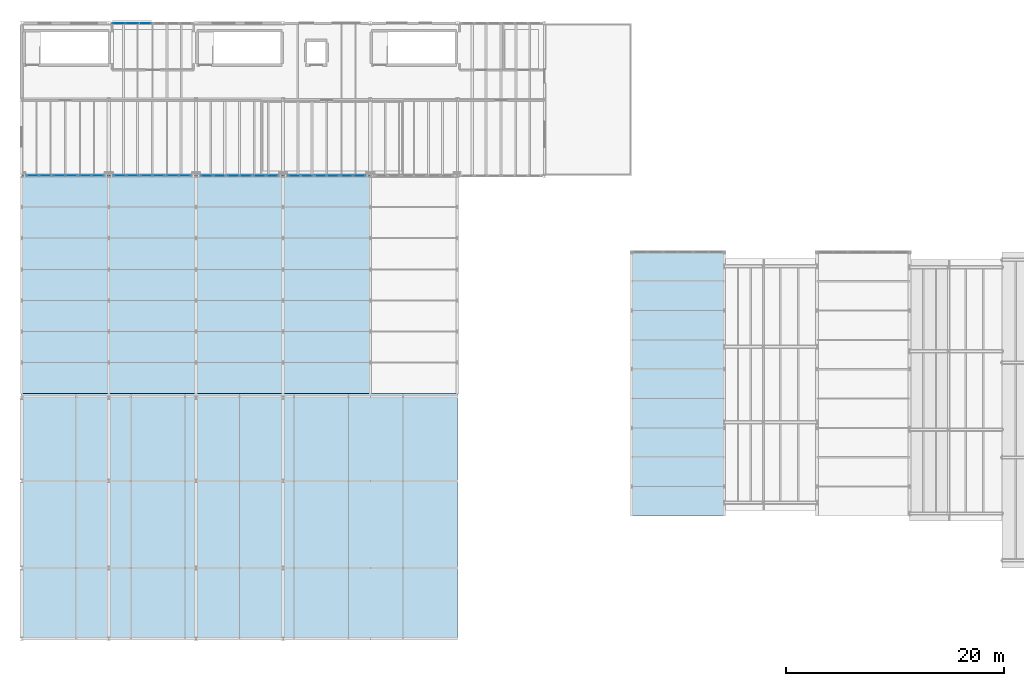
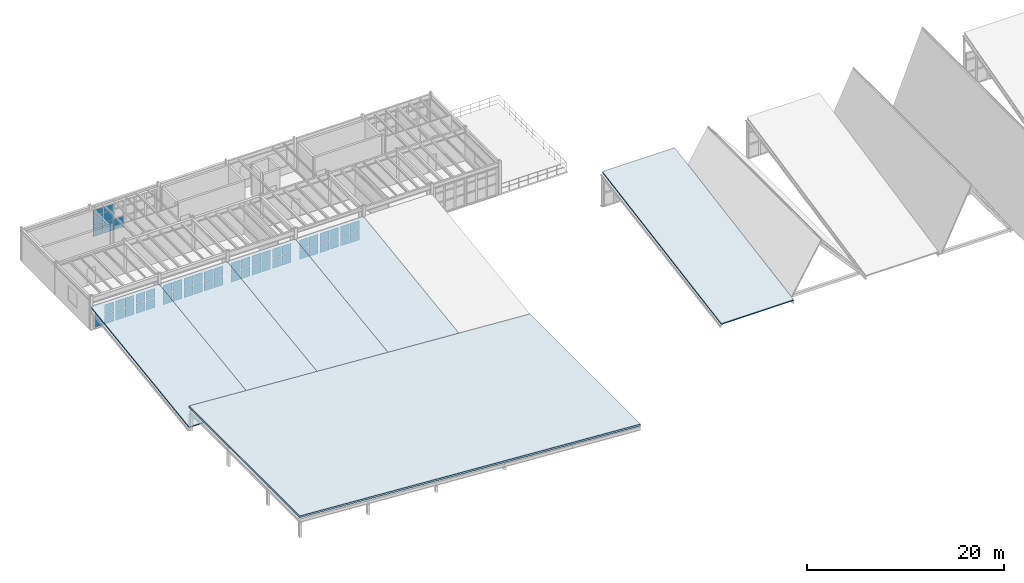
# One storey, part 47 of 77: 55 plates, 6 slabs, 19 elements without a shape of their own.
"""IFC4 building model written with IfcOpenShell, lengths in metres."""

from ifc_helpers import new_model, si_unit, direction, frame, origin, origin_2d, place, context, subcontext, project, spatial, polyline, rectangle, outline, extrude, material, layer, layer_set, type_object, element, aggregate, save


model = new_model("IFC4")

# Units and contexts
model_context = context("Model", 3, precision=1e-05, world=origin(), true_north=direction((0.0, 1.0)))
body_context = subcontext(model_context, "Body", "Model", "MODEL_VIEW")
ifc_project = project(units=[si_unit("LENGTHUNIT", "METRE"), si_unit("AREAUNIT", "SQUARE_METRE"), si_unit("VOLUMEUNIT", "CUBIC_METRE"), si_unit("PLANEANGLEUNIT", "RADIAN"), si_unit("MASSUNIT", "GRAM", prefix="KILO"), si_unit("THERMODYNAMICTEMPERATUREUNIT", "KELVIN"), si_unit("POWERUNIT", "WATT")], contexts=[model_context])

# Site, building, storey
site_placement = place(None, origin())
site = spatial("IfcSite", under=ifc_project, at=site_placement, CompositionType="ELEMENT")
building_placement = place(site_placement, origin())
building = spatial("IfcBuilding", under=site, at=building_placement, Name="Zhenchuan Central Fire Station", CompositionType="ELEMENT")
storey_placement = place(building_placement, frame((0.0, 0.0, 10.050048828125)))
storey = spatial("IfcBuildingStorey", under=building, at=storey_placement, Name="L03", CompositionType="ELEMENT", Elevation=10.050048828125)

# Curtain wall, plates
ifc_material_1 = material(Name="Anodised aluminium and low-E glazing", Category="aluminium")
curtain_wall_type_1 = type_object("IfcCurtainWallType", Name="CW-MOD-18", PredefinedType="USERDEFINED", material=ifc_material_1)
curtain_wall_1_placement = place(storey_placement, origin())
curtain_wall_1 = element("IfcCurtainWall", 1, at=curtain_wall_1_placement, inside=storey, type_object=curtain_wall_type_1, Name="L03 Unitised Curtain Wall 037", ObjectType="UNITISED GLAZING", PredefinedType="USERDEFINED")
ifc_material_2 = material(Name="Laminated low-E double glazing", Category="glass")
ifc_layer_1 = layer(ifc_material_2, 0.011962890625, Name="Laminated low-E double glazing", Category="glass")
ifc_layer_set_1 = layer_set([ifc_layer_1], Name="Laminated low-E double glazing")
plate_type = type_object("IfcPlateType", Name="CW-PNL12", PredefinedType="CURTAIN_PANEL", material=ifc_layer_set_1)
plate_1_placement = place(storey_placement, frame((1.00927734375, 42.5, 0.071044921875), z_axis=(0.0, 0.0, 1.0), x_axis=(1.0, 0.0, 0.0)))
plate_1 = element("IfcPlate", 2, at=plate_1_placement, type_object=plate_type, Name="CW-18 panel 1.1", PredefinedType="CURTAIN_PANEL", context=body_context, shape_type="SweptSolid", body=[
    extrude(rectangle(XDim=1.068603515625, YDim=0.011962890625, at=origin_2d()), origin(), (0.0, 0.0, 1.0), 1.16650390625),
])
plate_2_placement = place(storey_placement, frame((1.00927734375, 42.5, 1.3125), z_axis=(0.0, 0.0, 1.0), x_axis=(1.0, 0.0, 0.0)))
plate_2 = element("IfcPlate", 3, at=plate_2_placement, type_object=plate_type, Name="CW-18 panel 1.2", PredefinedType="CURTAIN_PANEL", context=body_context, shape_type="SweptSolid", body=[
    extrude(rectangle(XDim=1.068603515625, YDim=0.011962890625, at=origin_2d()), origin(), (0.0, 0.0, 1.0), 1.16259765625),
])
plate_3_placement = place(storey_placement, frame((2.15283203125, 42.5, 0.071044921875), z_axis=(0.0, 0.0, 1.0), x_axis=(1.0, 0.0, 0.0)))
plate_3 = element("IfcPlate", 4, at=plate_3_placement, type_object=plate_type, Name="CW-18 panel 2.1", PredefinedType="CURTAIN_PANEL", context=body_context, shape_type="SweptSolid", body=[
    extrude(rectangle(XDim=1.068603515625, YDim=0.011962890625, at=origin_2d()), origin(), (0.0, 0.0, 1.0), 1.16650390625),
])
plate_4_placement = place(storey_placement, frame((2.15283203125, 42.5, 1.3125), z_axis=(0.0, 0.0, 1.0), x_axis=(1.0, 0.0, 0.0)))
plate_4 = element("IfcPlate", 5, at=plate_4_placement, type_object=plate_type, Name="CW-18 panel 2.2", PredefinedType="CURTAIN_PANEL", context=body_context, shape_type="SweptSolid", body=[
    extrude(rectangle(XDim=1.068603515625, YDim=0.011962890625, at=origin_2d()), origin(), (0.0, 0.0, 1.0), 1.16259765625),
])
aggregate(curtain_wall_1, [plate_1, plate_2, plate_3, plate_4])

curtain_wall_type_2 = type_object("IfcCurtainWallType", Name="CW-MOD-19", PredefinedType="USERDEFINED", material=ifc_material_1)
curtain_wall_2_placement = place(storey_placement, origin())
curtain_wall_2 = element("IfcCurtainWall", 6, at=curtain_wall_2_placement, inside=storey, type_object=curtain_wall_type_2, Name="L03 Unitised Curtain Wall 038", ObjectType="UNITISED GLAZING", PredefinedType="USERDEFINED")
plate_5_placement = place(storey_placement, frame((3.437744140625, 42.5, 0.071044921875), z_axis=(0.0, 0.0, 1.0), x_axis=(1.0, 0.0, 0.0)))
plate_5 = element("IfcPlate", 7, at=plate_5_placement, type_object=plate_type, Name="CW-19 panel 1.1", PredefinedType="CURTAIN_PANEL", context=body_context, shape_type="SweptSolid", body=[
    extrude(rectangle(XDim=1.049560546875, YDim=0.011962890625, at=origin_2d()), origin(), (0.0, 0.0, 1.0), 1.16650390625),
])
plate_6_placement = place(storey_placement, frame((3.437744140625, 42.5, 1.3125), z_axis=(0.0, 0.0, 1.0), x_axis=(1.0, 0.0, 0.0)))
plate_6 = element("IfcPlate", 8, at=plate_6_placement, type_object=plate_type, Name="CW-19 panel 1.2", PredefinedType="CURTAIN_PANEL", context=body_context, shape_type="SweptSolid", body=[
    extrude(rectangle(XDim=1.049560546875, YDim=0.011962890625, at=origin_2d()), origin(), (0.0, 0.0, 1.0), 1.16259765625),
])
plate_7_placement = place(storey_placement, frame((4.562255859375, 42.5, 0.071044921875), z_axis=(0.0, 0.0, 1.0), x_axis=(1.0, 0.0, 0.0)))
plate_7 = element("IfcPlate", 9, at=plate_7_placement, type_object=plate_type, Name="CW-19 panel 2.1", PredefinedType="CURTAIN_PANEL", context=body_context, shape_type="SweptSolid", body=[
    extrude(rectangle(XDim=1.049560546875, YDim=0.011962890625, at=origin_2d()), origin(), (0.0, 0.0, 1.0), 1.16650390625),
])
plate_8_placement = place(storey_placement, frame((4.562255859375, 42.5, 1.3125), z_axis=(0.0, 0.0, 1.0), x_axis=(1.0, 0.0, 0.0)))
plate_8 = element("IfcPlate", 10, at=plate_8_placement, type_object=plate_type, Name="CW-19 panel 2.2", PredefinedType="CURTAIN_PANEL", context=body_context, shape_type="SweptSolid", body=[
    extrude(rectangle(XDim=1.049560546875, YDim=0.011962890625, at=origin_2d()), origin(), (0.0, 0.0, 1.0), 1.16259765625),
])
aggregate(curtain_wall_2, [plate_5, plate_6, plate_7, plate_8])

curtain_wall_type_3 = type_object("IfcCurtainWallType", Name="CW-MOD-20", PredefinedType="USERDEFINED", material=ifc_material_1)
curtain_wall_3_placement = place(storey_placement, origin())
curtain_wall_3 = element("IfcCurtainWall", 11, at=curtain_wall_3_placement, inside=storey, type_object=curtain_wall_type_3, Name="L03 Unitised Curtain Wall 039", ObjectType="UNITISED GLAZING", PredefinedType="USERDEFINED")
plate_9_placement = place(storey_placement, frame((5.84716796875, 42.5, 0.071044921875), z_axis=(0.0, 0.0, 1.0), x_axis=(1.0, 0.0, 0.0)))
plate_9 = element("IfcPlate", 12, at=plate_9_placement, type_object=plate_type, Name="CW-20 panel 1.1", PredefinedType="CURTAIN_PANEL", context=body_context, shape_type="SweptSolid", body=[
    extrude(rectangle(XDim=1.068603515625, YDim=0.011962890625, at=origin_2d()), origin(), (0.0, 0.0, 1.0), 1.16650390625),
])
plate_10_placement = place(storey_placement, frame((5.84716796875, 42.5, 1.3125), z_axis=(0.0, 0.0, 1.0), x_axis=(1.0, 0.0, 0.0)))
plate_10 = element("IfcPlate", 13, at=plate_10_placement, type_object=plate_type, Name="CW-20 panel 1.2", PredefinedType="CURTAIN_PANEL", context=body_context, shape_type="SweptSolid", body=[
    extrude(rectangle(XDim=1.068603515625, YDim=0.011962890625, at=origin_2d()), origin(), (0.0, 0.0, 1.0), 1.16259765625),
])
plate_11_placement = place(storey_placement, frame((6.99072265625, 42.5, 0.071044921875), z_axis=(0.0, 0.0, 1.0), x_axis=(1.0, 0.0, 0.0)))
plate_11 = element("IfcPlate", 14, at=plate_11_placement, type_object=plate_type, Name="CW-20 panel 2.1", PredefinedType="CURTAIN_PANEL", context=body_context, shape_type="SweptSolid", body=[
    extrude(rectangle(XDim=1.068603515625, YDim=0.011962890625, at=origin_2d()), origin(), (0.0, 0.0, 1.0), 1.16650390625),
])
plate_12_placement = place(storey_placement, frame((6.99072265625, 42.5, 1.3125), z_axis=(0.0, 0.0, 1.0), x_axis=(1.0, 0.0, 0.0)))
plate_12 = element("IfcPlate", 15, at=plate_12_placement, type_object=plate_type, Name="CW-20 panel 2.2", PredefinedType="CURTAIN_PANEL", context=body_context, shape_type="SweptSolid", body=[
    extrude(rectangle(XDim=1.068603515625, YDim=0.011962890625, at=origin_2d()), origin(), (0.0, 0.0, 1.0), 1.16259765625),
])
aggregate(curtain_wall_3, [plate_9, plate_10, plate_11, plate_12])

curtain_wall_4_placement = place(storey_placement, origin())
curtain_wall_4 = element("IfcCurtainWall", 16, at=curtain_wall_4_placement, inside=storey, type_object=curtain_wall_type_2, Name="L03 Unitised Curtain Wall 040", ObjectType="UNITISED GLAZING", PredefinedType="USERDEFINED")
plate_13_placement = place(storey_placement, frame((9.00927734375, 42.5, 0.071044921875), z_axis=(0.0, 0.0, 1.0), x_axis=(1.0, 0.0, 0.0)))
plate_13 = element("IfcPlate", 17, at=plate_13_placement, type_object=plate_type, Name="CW-19 panel 1.1", PredefinedType="CURTAIN_PANEL", context=body_context, shape_type="SweptSolid", body=[
    extrude(rectangle(XDim=1.068603515625, YDim=0.011962890625, at=origin_2d()), origin(), (0.0, 0.0, 1.0), 1.16650390625),
])
plate_14_placement = place(storey_placement, frame((9.00927734375, 42.5, 1.3125), z_axis=(0.0, 0.0, 1.0), x_axis=(1.0, 0.0, 0.0)))
plate_14 = element("IfcPlate", 18, at=plate_14_placement, type_object=plate_type, Name="CW-19 panel 1.2", PredefinedType="CURTAIN_PANEL", context=body_context, shape_type="SweptSolid", body=[
    extrude(rectangle(XDim=1.068603515625, YDim=0.011962890625, at=origin_2d()), origin(), (0.0, 0.0, 1.0), 1.16259765625),
])
plate_15_placement = place(storey_placement, frame((10.15283203125, 42.5, 0.071044921875), z_axis=(0.0, 0.0, 1.0), x_axis=(1.0, 0.0, 0.0)))
plate_15 = element("IfcPlate", 19, at=plate_15_placement, type_object=plate_type, Name="CW-19 panel 2.1", PredefinedType="CURTAIN_PANEL", context=body_context, shape_type="SweptSolid", body=[
    extrude(rectangle(XDim=1.068603515625, YDim=0.011962890625, at=origin_2d()), origin(), (0.0, 0.0, 1.0), 1.16650390625),
])
plate_16_placement = place(storey_placement, frame((10.15283203125, 42.5, 1.3125), z_axis=(0.0, 0.0, 1.0), x_axis=(1.0, 0.0, 0.0)))
plate_16 = element("IfcPlate", 20, at=plate_16_placement, type_object=plate_type, Name="CW-19 panel 2.2", PredefinedType="CURTAIN_PANEL", context=body_context, shape_type="SweptSolid", body=[
    extrude(rectangle(XDim=1.068603515625, YDim=0.011962890625, at=origin_2d()), origin(), (0.0, 0.0, 1.0), 1.16259765625),
])
aggregate(curtain_wall_4, [plate_13, plate_14, plate_15, plate_16])

curtain_wall_5_placement = place(storey_placement, origin())
curtain_wall_5 = element("IfcCurtainWall", 21, at=curtain_wall_5_placement, inside=storey, type_object=curtain_wall_type_3, Name="L03 Unitised Curtain Wall 041", ObjectType="UNITISED GLAZING", PredefinedType="USERDEFINED")
plate_17_placement = place(storey_placement, frame((11.437744140625, 42.5, 0.071044921875), z_axis=(0.0, 0.0, 1.0), x_axis=(1.0, 0.0, 0.0)))
plate_17 = element("IfcPlate", 22, at=plate_17_placement, type_object=plate_type, Name="CW-20 panel 1.1", PredefinedType="CURTAIN_PANEL", context=body_context, shape_type="SweptSolid", body=[
    extrude(rectangle(XDim=1.049560546875, YDim=0.011962890625, at=origin_2d()), origin(), (0.0, 0.0, 1.0), 1.16650390625),
])
plate_18_placement = place(storey_placement, frame((11.437744140625, 42.5, 1.3125), z_axis=(0.0, 0.0, 1.0), x_axis=(1.0, 0.0, 0.0)))
plate_18 = element("IfcPlate", 23, at=plate_18_placement, type_object=plate_type, Name="CW-20 panel 1.2", PredefinedType="CURTAIN_PANEL", context=body_context, shape_type="SweptSolid", body=[
    extrude(rectangle(XDim=1.049560546875, YDim=0.011962890625, at=origin_2d()), origin(), (0.0, 0.0, 1.0), 1.16259765625),
])
plate_19_placement = place(storey_placement, frame((12.562255859375, 42.5, 0.071044921875), z_axis=(0.0, 0.0, 1.0), x_axis=(1.0, 0.0, 0.0)))
plate_19 = element("IfcPlate", 24, at=plate_19_placement, type_object=plate_type, Name="CW-20 panel 2.1", PredefinedType="CURTAIN_PANEL", context=body_context, shape_type="SweptSolid", body=[
    extrude(rectangle(XDim=1.049560546875, YDim=0.011962890625, at=origin_2d()), origin(), (0.0, 0.0, 1.0), 1.16650390625),
])
plate_20_placement = place(storey_placement, frame((12.562255859375, 42.5, 1.3125), z_axis=(0.0, 0.0, 1.0), x_axis=(1.0, 0.0, 0.0)))
plate_20 = element("IfcPlate", 25, at=plate_20_placement, type_object=plate_type, Name="CW-20 panel 2.2", PredefinedType="CURTAIN_PANEL", context=body_context, shape_type="SweptSolid", body=[
    extrude(rectangle(XDim=1.049560546875, YDim=0.011962890625, at=origin_2d()), origin(), (0.0, 0.0, 1.0), 1.16259765625),
])
aggregate(curtain_wall_5, [plate_17, plate_18, plate_19, plate_20])

curtain_wall_type_4 = type_object("IfcCurtainWallType", Name="CW-MOD-21", PredefinedType="USERDEFINED", material=ifc_material_1)
curtain_wall_6_placement = place(storey_placement, origin())
curtain_wall_6 = element("IfcCurtainWall", 26, at=curtain_wall_6_placement, inside=storey, type_object=curtain_wall_type_4, Name="L03 Unitised Curtain Wall 042", ObjectType="UNITISED GLAZING", PredefinedType="USERDEFINED")
plate_21_placement = place(storey_placement, frame((13.84716796875, 42.5, 0.071044921875), z_axis=(0.0, 0.0, 1.0), x_axis=(1.0, 0.0, 0.0)))
plate_21 = element("IfcPlate", 27, at=plate_21_placement, type_object=plate_type, Name="CW-21 panel 1.1", PredefinedType="CURTAIN_PANEL", context=body_context, shape_type="SweptSolid", body=[
    extrude(rectangle(XDim=1.068603515625, YDim=0.011962890625, at=origin_2d()), origin(), (0.0, 0.0, 1.0), 1.16650390625),
])
plate_22_placement = place(storey_placement, frame((13.84716796875, 42.5, 1.3125), z_axis=(0.0, 0.0, 1.0), x_axis=(1.0, 0.0, 0.0)))
plate_22 = element("IfcPlate", 28, at=plate_22_placement, type_object=plate_type, Name="CW-21 panel 1.2", PredefinedType="CURTAIN_PANEL", context=body_context, shape_type="SweptSolid", body=[
    extrude(rectangle(XDim=1.068603515625, YDim=0.011962890625, at=origin_2d()), origin(), (0.0, 0.0, 1.0), 1.16259765625),
])
plate_23_placement = place(storey_placement, frame((14.99072265625, 42.5, 0.071044921875), z_axis=(0.0, 0.0, 1.0), x_axis=(1.0, 0.0, 0.0)))
plate_23 = element("IfcPlate", 29, at=plate_23_placement, type_object=plate_type, Name="CW-21 panel 2.1", PredefinedType="CURTAIN_PANEL", context=body_context, shape_type="SweptSolid", body=[
    extrude(rectangle(XDim=1.068603515625, YDim=0.011962890625, at=origin_2d()), origin(), (0.0, 0.0, 1.0), 1.16650390625),
])
plate_24_placement = place(storey_placement, frame((14.99072265625, 42.5, 1.3125), z_axis=(0.0, 0.0, 1.0), x_axis=(1.0, 0.0, 0.0)))
plate_24 = element("IfcPlate", 30, at=plate_24_placement, type_object=plate_type, Name="CW-21 panel 2.2", PredefinedType="CURTAIN_PANEL", context=body_context, shape_type="SweptSolid", body=[
    extrude(rectangle(XDim=1.068603515625, YDim=0.011962890625, at=origin_2d()), origin(), (0.0, 0.0, 1.0), 1.16259765625),
])
aggregate(curtain_wall_6, [plate_21, plate_22, plate_23, plate_24])

curtain_wall_7_placement = place(storey_placement, origin())
curtain_wall_7 = element("IfcCurtainWall", 31, at=curtain_wall_7_placement, inside=storey, type_object=curtain_wall_type_3, Name="L03 Unitised Curtain Wall 043", ObjectType="UNITISED GLAZING", PredefinedType="USERDEFINED")
plate_25_placement = place(storey_placement, frame((17.00927734375, 42.5, 0.071044921875), z_axis=(0.0, 0.0, 1.0), x_axis=(1.0, 0.0, 0.0)))
plate_25 = element("IfcPlate", 32, at=plate_25_placement, type_object=plate_type, Name="CW-20 panel 1.1", PredefinedType="CURTAIN_PANEL", context=body_context, shape_type="SweptSolid", body=[
    extrude(rectangle(XDim=1.068603515625, YDim=0.011962890625, at=origin_2d()), origin(), (0.0, 0.0, 1.0), 1.16650390625),
])
plate_26_placement = place(storey_placement, frame((17.00927734375, 42.5, 1.3125), z_axis=(0.0, 0.0, 1.0), x_axis=(1.0, 0.0, 0.0)))
plate_26 = element("IfcPlate", 33, at=plate_26_placement, type_object=plate_type, Name="CW-20 panel 1.2", PredefinedType="CURTAIN_PANEL", context=body_context, shape_type="SweptSolid", body=[
    extrude(rectangle(XDim=1.068603515625, YDim=0.011962890625, at=origin_2d()), origin(), (0.0, 0.0, 1.0), 1.16259765625),
])
plate_27_placement = place(storey_placement, frame((18.15283203125, 42.5, 0.071044921875), z_axis=(0.0, 0.0, 1.0), x_axis=(1.0, 0.0, 0.0)))
plate_27 = element("IfcPlate", 34, at=plate_27_placement, type_object=plate_type, Name="CW-20 panel 2.1", PredefinedType="CURTAIN_PANEL", context=body_context, shape_type="SweptSolid", body=[
    extrude(rectangle(XDim=1.068603515625, YDim=0.011962890625, at=origin_2d()), origin(), (0.0, 0.0, 1.0), 1.16650390625),
])
plate_28_placement = place(storey_placement, frame((18.15283203125, 42.5, 1.3125), z_axis=(0.0, 0.0, 1.0), x_axis=(1.0, 0.0, 0.0)))
plate_28 = element("IfcPlate", 35, at=plate_28_placement, type_object=plate_type, Name="CW-20 panel 2.2", PredefinedType="CURTAIN_PANEL", context=body_context, shape_type="SweptSolid", body=[
    extrude(rectangle(XDim=1.068603515625, YDim=0.011962890625, at=origin_2d()), origin(), (0.0, 0.0, 1.0), 1.16259765625),
])
aggregate(curtain_wall_7, [plate_25, plate_26, plate_27, plate_28])

curtain_wall_8_placement = place(storey_placement, origin())
curtain_wall_8 = element("IfcCurtainWall", 36, at=curtain_wall_8_placement, inside=storey, type_object=curtain_wall_type_4, Name="L03 Unitised Curtain Wall 044", ObjectType="UNITISED GLAZING", PredefinedType="USERDEFINED")
plate_29_placement = place(storey_placement, frame((19.437744140625, 42.5, 0.071044921875), z_axis=(0.0, 0.0, 1.0), x_axis=(1.0, 0.0, 0.0)))
plate_29 = element("IfcPlate", 37, at=plate_29_placement, type_object=plate_type, Name="CW-21 panel 1.1", PredefinedType="CURTAIN_PANEL", context=body_context, shape_type="SweptSolid", body=[
    extrude(rectangle(XDim=1.049560546875, YDim=0.011962890625, at=origin_2d()), origin(), (0.0, 0.0, 1.0), 1.16650390625),
])
plate_30_placement = place(storey_placement, frame((19.437744140625, 42.5, 1.3125), z_axis=(0.0, 0.0, 1.0), x_axis=(1.0, 0.0, 0.0)))
plate_30 = element("IfcPlate", 38, at=plate_30_placement, type_object=plate_type, Name="CW-21 panel 1.2", PredefinedType="CURTAIN_PANEL", context=body_context, shape_type="SweptSolid", body=[
    extrude(rectangle(XDim=1.049560546875, YDim=0.011962890625, at=origin_2d()), origin(), (0.0, 0.0, 1.0), 1.16259765625),
])
plate_31_placement = place(storey_placement, frame((20.562255859375, 42.5, 0.071044921875), z_axis=(0.0, 0.0, 1.0), x_axis=(1.0, 0.0, 0.0)))
plate_31 = element("IfcPlate", 39, at=plate_31_placement, type_object=plate_type, Name="CW-21 panel 2.1", PredefinedType="CURTAIN_PANEL", context=body_context, shape_type="SweptSolid", body=[
    extrude(rectangle(XDim=1.049560546875, YDim=0.011962890625, at=origin_2d()), origin(), (0.0, 0.0, 1.0), 1.16650390625),
])
plate_32_placement = place(storey_placement, frame((20.562255859375, 42.5, 1.3125), z_axis=(0.0, 0.0, 1.0), x_axis=(1.0, 0.0, 0.0)))
plate_32 = element("IfcPlate", 40, at=plate_32_placement, type_object=plate_type, Name="CW-21 panel 2.2", PredefinedType="CURTAIN_PANEL", context=body_context, shape_type="SweptSolid", body=[
    extrude(rectangle(XDim=1.049560546875, YDim=0.011962890625, at=origin_2d()), origin(), (0.0, 0.0, 1.0), 1.16259765625),
])
aggregate(curtain_wall_8, [plate_29, plate_30, plate_31, plate_32])

curtain_wall_type_5 = type_object("IfcCurtainWallType", Name="CW-MOD-22", PredefinedType="USERDEFINED", material=ifc_material_1)
curtain_wall_9_placement = place(storey_placement, origin())
curtain_wall_9 = element("IfcCurtainWall", 41, at=curtain_wall_9_placement, inside=storey, type_object=curtain_wall_type_5, Name="L03 Unitised Curtain Wall 045", ObjectType="UNITISED GLAZING", PredefinedType="USERDEFINED")
plate_33_placement = place(storey_placement, frame((21.84716796875, 42.5, 0.071044921875), z_axis=(0.0, 0.0, 1.0), x_axis=(1.0, 0.0, 0.0)))
plate_33 = element("IfcPlate", 42, at=plate_33_placement, type_object=plate_type, Name="CW-22 panel 1.1", PredefinedType="CURTAIN_PANEL", context=body_context, shape_type="SweptSolid", body=[
    extrude(rectangle(XDim=1.068603515625, YDim=0.011962890625, at=origin_2d()), origin(), (0.0, 0.0, 1.0), 1.16650390625),
])
plate_34_placement = place(storey_placement, frame((21.84716796875, 42.5, 1.3125), z_axis=(0.0, 0.0, 1.0), x_axis=(1.0, 0.0, 0.0)))
plate_34 = element("IfcPlate", 43, at=plate_34_placement, type_object=plate_type, Name="CW-22 panel 1.2", PredefinedType="CURTAIN_PANEL", context=body_context, shape_type="SweptSolid", body=[
    extrude(rectangle(XDim=1.068603515625, YDim=0.011962890625, at=origin_2d()), origin(), (0.0, 0.0, 1.0), 1.16259765625),
])
plate_35_placement = place(storey_placement, frame((22.99072265625, 42.5, 0.071044921875), z_axis=(0.0, 0.0, 1.0), x_axis=(1.0, 0.0, 0.0)))
plate_35 = element("IfcPlate", 44, at=plate_35_placement, type_object=plate_type, Name="CW-22 panel 2.1", PredefinedType="CURTAIN_PANEL", context=body_context, shape_type="SweptSolid", body=[
    extrude(rectangle(XDim=1.068603515625, YDim=0.011962890625, at=origin_2d()), origin(), (0.0, 0.0, 1.0), 1.16650390625),
])
plate_36_placement = place(storey_placement, frame((22.99072265625, 42.5, 1.3125), z_axis=(0.0, 0.0, 1.0), x_axis=(1.0, 0.0, 0.0)))
plate_36 = element("IfcPlate", 45, at=plate_36_placement, type_object=plate_type, Name="CW-22 panel 2.2", PredefinedType="CURTAIN_PANEL", context=body_context, shape_type="SweptSolid", body=[
    extrude(rectangle(XDim=1.068603515625, YDim=0.011962890625, at=origin_2d()), origin(), (0.0, 0.0, 1.0), 1.16259765625),
])
aggregate(curtain_wall_9, [plate_33, plate_34, plate_35, plate_36])

curtain_wall_10_placement = place(storey_placement, origin())
curtain_wall_10 = element("IfcCurtainWall", 46, at=curtain_wall_10_placement, inside=storey, type_object=curtain_wall_type_4, Name="L03 Unitised Curtain Wall 046", ObjectType="UNITISED GLAZING", PredefinedType="USERDEFINED")
plate_37_placement = place(storey_placement, frame((25.00927734375, 42.5, 0.071044921875), z_axis=(0.0, 0.0, 1.0), x_axis=(1.0, 0.0, 0.0)))
plate_37 = element("IfcPlate", 47, at=plate_37_placement, type_object=plate_type, Name="CW-21 panel 1.1", PredefinedType="CURTAIN_PANEL", context=body_context, shape_type="SweptSolid", body=[
    extrude(rectangle(XDim=1.068603515625, YDim=0.011962890625, at=origin_2d()), origin(), (0.0, 0.0, 1.0), 1.16650390625),
])
plate_38_placement = place(storey_placement, frame((25.00927734375, 42.5, 1.3125), z_axis=(0.0, 0.0, 1.0), x_axis=(1.0, 0.0, 0.0)))
plate_38 = element("IfcPlate", 48, at=plate_38_placement, type_object=plate_type, Name="CW-21 panel 1.2", PredefinedType="CURTAIN_PANEL", context=body_context, shape_type="SweptSolid", body=[
    extrude(rectangle(XDim=1.068603515625, YDim=0.011962890625, at=origin_2d()), origin(), (0.0, 0.0, 1.0), 1.16259765625),
])
plate_39_placement = place(storey_placement, frame((26.15283203125, 42.5, 0.071044921875), z_axis=(0.0, 0.0, 1.0), x_axis=(1.0, 0.0, 0.0)))
plate_39 = element("IfcPlate", 49, at=plate_39_placement, type_object=plate_type, Name="CW-21 panel 2.1", PredefinedType="CURTAIN_PANEL", context=body_context, shape_type="SweptSolid", body=[
    extrude(rectangle(XDim=1.068603515625, YDim=0.011962890625, at=origin_2d()), origin(), (0.0, 0.0, 1.0), 1.16650390625),
])
plate_40_placement = place(storey_placement, frame((26.15283203125, 42.5, 1.3125), z_axis=(0.0, 0.0, 1.0), x_axis=(1.0, 0.0, 0.0)))
plate_40 = element("IfcPlate", 50, at=plate_40_placement, type_object=plate_type, Name="CW-21 panel 2.2", PredefinedType="CURTAIN_PANEL", context=body_context, shape_type="SweptSolid", body=[
    extrude(rectangle(XDim=1.068603515625, YDim=0.011962890625, at=origin_2d()), origin(), (0.0, 0.0, 1.0), 1.16259765625),
])
aggregate(curtain_wall_10, [plate_37, plate_38, plate_39, plate_40])

curtain_wall_11_placement = place(storey_placement, origin())
curtain_wall_11 = element("IfcCurtainWall", 51, at=curtain_wall_11_placement, inside=storey, type_object=curtain_wall_type_5, Name="L03 Unitised Curtain Wall 047", ObjectType="UNITISED GLAZING", PredefinedType="USERDEFINED")
plate_41_placement = place(storey_placement, frame((27.437744140625, 42.5, 0.071044921875), z_axis=(0.0, 0.0, 1.0), x_axis=(1.0, 0.0, 0.0)))
plate_41 = element("IfcPlate", 52, at=plate_41_placement, type_object=plate_type, Name="CW-22 panel 1.1", PredefinedType="CURTAIN_PANEL", context=body_context, shape_type="SweptSolid", body=[
    extrude(rectangle(XDim=1.049560546875, YDim=0.011962890625, at=origin_2d()), origin(), (0.0, 0.0, 1.0), 1.16650390625),
])
plate_42_placement = place(storey_placement, frame((27.437744140625, 42.5, 1.3125), z_axis=(0.0, 0.0, 1.0), x_axis=(1.0, 0.0, 0.0)))
plate_42 = element("IfcPlate", 53, at=plate_42_placement, type_object=plate_type, Name="CW-22 panel 1.2", PredefinedType="CURTAIN_PANEL", context=body_context, shape_type="SweptSolid", body=[
    extrude(rectangle(XDim=1.049560546875, YDim=0.011962890625, at=origin_2d()), origin(), (0.0, 0.0, 1.0), 1.16259765625),
])
plate_43_placement = place(storey_placement, frame((28.562255859375, 42.5, 0.071044921875), z_axis=(0.0, 0.0, 1.0), x_axis=(1.0, 0.0, 0.0)))
plate_43 = element("IfcPlate", 54, at=plate_43_placement, type_object=plate_type, Name="CW-22 panel 2.1", PredefinedType="CURTAIN_PANEL", context=body_context, shape_type="SweptSolid", body=[
    extrude(rectangle(XDim=1.049560546875, YDim=0.011962890625, at=origin_2d()), origin(), (0.0, 0.0, 1.0), 1.16650390625),
])
plate_44_placement = place(storey_placement, frame((28.562255859375, 42.5, 1.3125), z_axis=(0.0, 0.0, 1.0), x_axis=(1.0, 0.0, 0.0)))
plate_44 = element("IfcPlate", 55, at=plate_44_placement, type_object=plate_type, Name="CW-22 panel 2.2", PredefinedType="CURTAIN_PANEL", context=body_context, shape_type="SweptSolid", body=[
    extrude(rectangle(XDim=1.049560546875, YDim=0.011962890625, at=origin_2d()), origin(), (0.0, 0.0, 1.0), 1.16259765625),
])
aggregate(curtain_wall_11, [plate_41, plate_42, plate_43, plate_44])

curtain_wall_type_6 = type_object("IfcCurtainWallType", Name="CW-MOD-01", PredefinedType="USERDEFINED", material=ifc_material_1)
curtain_wall_12_placement = place(storey_placement, origin())
curtain_wall_12 = element("IfcCurtainWall", 56, at=curtain_wall_12_placement, inside=storey, type_object=curtain_wall_type_6, Name="L03 Unitised Curtain Wall 048", ObjectType="UNITISED GLAZING", PredefinedType="USERDEFINED")
plate_45_placement = place(storey_placement, frame((29.8447265625, 42.5, 0.06103515625), z_axis=(0.0, 0.0, 1.0), x_axis=(1.0, 0.0, 0.0)))
plate_45 = element("IfcPlate", 57, at=plate_45_placement, type_object=plate_type, Name="CW-01 panel 1.1", PredefinedType="CURTAIN_PANEL", context=body_context, shape_type="SweptSolid", body=[
    extrude(rectangle(XDim=1.08349609375, YDim=0.011962890625, at=origin_2d()), origin(), (0.0, 0.0, 1.0), 1.181396484375),
])
plate_46_placement = place(storey_placement, frame((29.8447265625, 42.5, 1.3076171875), z_axis=(0.0, 0.0, 1.0), x_axis=(1.0, 0.0, 0.0)))
plate_46 = element("IfcPlate", 58, at=plate_46_placement, type_object=plate_type, Name="CW-01 panel 1.2", PredefinedType="CURTAIN_PANEL", context=body_context, shape_type="SweptSolid", body=[
    extrude(rectangle(XDim=1.08349609375, YDim=0.011962890625, at=origin_2d()), origin(), (0.0, 0.0, 1.0), 1.177490234375),
])
plate_47_placement = place(storey_placement, frame((30.9931640625, 42.5, 0.06103515625), z_axis=(0.0, 0.0, 1.0), x_axis=(1.0, 0.0, 0.0)))
plate_47 = element("IfcPlate", 59, at=plate_47_placement, type_object=plate_type, Name="CW-01 panel 2.1", PredefinedType="CURTAIN_PANEL", context=body_context, shape_type="SweptSolid", body=[
    extrude(rectangle(XDim=1.08349609375, YDim=0.011962890625, at=origin_2d()), origin(), (0.0, 0.0, 1.0), 1.181396484375),
])
plate_48_placement = place(storey_placement, frame((30.9931640625, 42.5, 1.3076171875), z_axis=(0.0, 0.0, 1.0), x_axis=(1.0, 0.0, 0.0)))
plate_48 = element("IfcPlate", 60, at=plate_48_placement, type_object=plate_type, Name="CW-01 panel 2.2", PredefinedType="CURTAIN_PANEL", context=body_context, shape_type="SweptSolid", body=[
    extrude(rectangle(XDim=1.08349609375, YDim=0.011962890625, at=origin_2d()), origin(), (0.0, 0.0, 1.0), 1.177490234375),
])
aggregate(curtain_wall_12, [plate_45, plate_46, plate_47, plate_48])

curtain_wall_type_7 = type_object("IfcCurtainWallType", Name="CW-MOD-08", PredefinedType="USERDEFINED", material=ifc_material_1)
curtain_wall_13_placement = place(storey_placement, origin())
curtain_wall_13 = element("IfcCurtainWall", 61, at=curtain_wall_13_placement, inside=storey, type_object=curtain_wall_type_7, Name="L03 Unitised Curtain Wall 066", ObjectType="UNITISED GLAZING", PredefinedType="USERDEFINED")
plate_49_placement = place(storey_placement, frame((8.926513671875, 56.5, 0.06103515625), z_axis=(0.0, 0.0, 1.0), x_axis=(1.0, 0.0, 0.0)))
plate_49 = element("IfcPlate", 62, at=plate_49_placement, type_object=plate_type, Name="CW-08 panel 1.1", PredefinedType="CURTAIN_PANEL", context=body_context, shape_type="SweptSolid", body=[
    extrude(rectangle(XDim=1.123046875, YDim=0.011962890625, at=origin_2d()), origin(), (0.0, 0.0, 1.0), 1.33447265625),
])
plate_50_placement = place(storey_placement, frame((8.926513671875, 56.5, 1.46044921875), z_axis=(0.0, 0.0, 1.0), x_axis=(1.0, 0.0, 0.0)))
plate_50 = element("IfcPlate", 63, at=plate_50_placement, type_object=plate_type, Name="CW-08 panel 1.2", PredefinedType="CURTAIN_PANEL", context=body_context, shape_type="SweptSolid", body=[
    extrude(rectangle(XDim=1.123046875, YDim=0.011962890625, at=origin_2d()), origin(), (0.0, 0.0, 1.0), 1.158935546875),
])
plate_51_placement = place(storey_placement, frame((8.926513671875, 56.5, 2.6845703125), z_axis=(0.0, 0.0, 1.0), x_axis=(1.0, 0.0, 0.0)))
plate_51 = element("IfcPlate", 64, at=plate_51_placement, type_object=plate_type, Name="CW-08 panel 1.3", PredefinedType="CURTAIN_PANEL", context=body_context, shape_type="SweptSolid", body=[
    extrude(rectangle(XDim=1.123046875, YDim=0.011962890625, at=origin_2d()), origin(), (0.0, 0.0, 1.0), 0.650390625),
])
plate_52_placement = place(storey_placement, frame((10.131103515625, 56.5, 0.06103515625), z_axis=(0.0, 0.0, 1.0), x_axis=(1.0, 0.0, 0.0)))
plate_52 = element("IfcPlate", 65, at=plate_52_placement, type_object=plate_type, Name="CW-08 panel 2.1", PredefinedType="CURTAIN_PANEL", context=body_context, shape_type="SweptSolid", body=[
    extrude(rectangle(XDim=1.15576171875, YDim=0.011962890625, at=origin_2d()), origin(), (0.0, 0.0, 1.0), 1.33447265625),
])
plate_53_placement = place(storey_placement, frame((10.131103515625, 56.5, 1.46044921875), z_axis=(0.0, 0.0, 1.0), x_axis=(1.0, 0.0, 0.0)))
plate_53 = element("IfcPlate", 66, at=plate_53_placement, type_object=plate_type, Name="CW-08 panel 2.2", PredefinedType="CURTAIN_PANEL", context=body_context, shape_type="SweptSolid", body=[
    extrude(rectangle(XDim=1.15576171875, YDim=0.011962890625, at=origin_2d()), origin(), (0.0, 0.0, 1.0), 1.158935546875),
])
plate_54_placement = place(storey_placement, frame((10.131103515625, 56.5, 2.6845703125), z_axis=(0.0, 0.0, 1.0), x_axis=(1.0, 0.0, 0.0)))
plate_54 = element("IfcPlate", 67, at=plate_54_placement, type_object=plate_type, Name="CW-08 panel 2.3", PredefinedType="CURTAIN_PANEL", context=body_context, shape_type="SweptSolid", body=[
    extrude(rectangle(XDim=1.15576171875, YDim=0.011962890625, at=origin_2d()), origin(), (0.0, 0.0, 1.0), 0.650390625),
])
plate_55_placement = place(storey_placement, frame((11.33544921875, 56.5, 0.06103515625), z_axis=(0.0, 0.0, 1.0), x_axis=(1.0, 0.0, 0.0)))
plate_55 = element("IfcPlate", 68, at=plate_55_placement, type_object=plate_type, Name="CW-08 panel 3.1", PredefinedType="CURTAIN_PANEL", context=body_context, shape_type="SweptSolid", body=[
    extrude(rectangle(XDim=1.123046875, YDim=0.011962890625, at=origin_2d()), origin(), (0.0, 0.0, 1.0), 1.33447265625),
])
aggregate(curtain_wall_13, [plate_49, plate_50, plate_51, plate_52, plate_53, plate_54, plate_55])

# Roof, slab
ifc_material_3 = material(Name="Standing-seam aluminium roofing", Category="aluminium")
roof_type = type_object("IfcRoofType", Name="RF-SAW", PredefinedType="SHED_ROOF", material=ifc_material_3)
roof_1_placement = place(storey_placement, origin())
roof_1 = element("IfcRoof", 69, at=roof_1_placement, inside=storey, type_object=roof_type, Name="Pavilion H01 Sawtooth Roof Assembly", PredefinedType="SHED_ROOF")
ifc_material_4 = material(Name="Concrete C35/45", Category="concrete")
ifc_layer_2 = layer(ifc_material_4, 0.14990234375, Name="Concrete C35/45", Category="concrete")
ifc_layer_set_2 = layer_set([ifc_layer_2], Name="Concrete C35/45")
slab_type_1 = type_object("IfcSlabType", Name="SL-RF150", PredefinedType="ROOF", material=ifc_layer_set_2)
slab_1_placement = place(storey_placement, frame((56.02490234375, 11.300048828125, 0.0), z_axis=(0.0, -0.170995930871, 0.985271734917), x_axis=(1.0, 0.0, 0.0)))
slab_1 = element("IfcSlab", 70, at=slab_1_placement, type_object=slab_type_1, Name="Pavilion H01 Sawtooth Roof Slab", PredefinedType="ROOF", context=body_context, shape_type="SweptSolid", body=[
    extrude(outline(polyline([(0.0, 0.0), (8.47509765625, 0.0), (8.47509765625, 24.561702436257722), (0.0, 24.561702436257722), (0.0, 0.0)])), origin(), (0.0, 0.0, -1.0), 0.14990234375),
])
aggregate(roof_1, [slab_1])

roof_2_placement = place(storey_placement, origin())
roof_2 = element("IfcRoof", 71, at=roof_2_placement, inside=storey, type_object=roof_type, Name="Workshop Sawtooth Roof Bay 1", PredefinedType="SHED_ROOF")
slab_2_placement = place(storey_placement, frame((0.0, 22.5, 0.0), z_axis=(0.0, -0.138650215881, 0.990341414683), x_axis=(1.0, 0.0, 0.0)))
slab_2 = element("IfcSlab", 72, at=slab_2_placement, type_object=slab_type_1, Name="Workshop Sawtooth Roof Slab 1", PredefinedType="ROOF", context=body_context, shape_type="SweptSolid", body=[
    extrude(outline(polyline([(0.0, 0.0), (8.0, 0.0), (8.0, 20.19505566815512), (0.0, 20.19505566815512), (0.0, 0.0)])), origin(), (0.0, 0.0, -1.0), 0.14990234375),
])
aggregate(roof_2, [slab_2])

roof_3_placement = place(storey_placement, origin())
roof_3 = element("IfcRoof", 73, at=roof_3_placement, inside=storey, type_object=roof_type, Name="Workshop Sawtooth Roof Bay 2", PredefinedType="SHED_ROOF")
slab_3_placement = place(storey_placement, frame((8.0, 22.5, 0.0), z_axis=(0.0, -0.138650215881, 0.990341414683), x_axis=(1.0, 0.0, 0.0)))
slab_3 = element("IfcSlab", 74, at=slab_3_placement, type_object=slab_type_1, Name="Workshop Sawtooth Roof Slab 2", PredefinedType="ROOF", context=body_context, shape_type="SweptSolid", body=[
    extrude(outline(polyline([(0.0, 0.0), (8.0, 0.0), (8.0, 20.19505566815512), (0.0, 20.19505566815512), (0.0, 0.0)])), origin(), (0.0, 0.0, -1.0), 0.14990234375),
])
aggregate(roof_3, [slab_3])

roof_4_placement = place(storey_placement, origin())
roof_4 = element("IfcRoof", 75, at=roof_4_placement, inside=storey, type_object=roof_type, Name="Workshop Sawtooth Roof Bay 3", PredefinedType="SHED_ROOF")
slab_4_placement = place(storey_placement, frame((16.0, 22.5, 0.0), z_axis=(0.0, -0.138650215881, 0.990341414683), x_axis=(1.0, 0.0, 0.0)))
slab_4 = element("IfcSlab", 76, at=slab_4_placement, type_object=slab_type_1, Name="Workshop Sawtooth Roof Slab 3", PredefinedType="ROOF", context=body_context, shape_type="SweptSolid", body=[
    extrude(outline(polyline([(0.0, 0.0), (8.0, 0.0), (8.0, 20.19505566815512), (0.0, 20.19505566815512), (0.0, 0.0)])), origin(), (0.0, 0.0, -1.0), 0.14990234375),
])
aggregate(roof_4, [slab_4])

roof_5_placement = place(storey_placement, origin())
roof_5 = element("IfcRoof", 77, at=roof_5_placement, inside=storey, type_object=roof_type, Name="Workshop Sawtooth Roof Bay 4", PredefinedType="SHED_ROOF")
slab_5_placement = place(storey_placement, frame((24.0, 22.5, 0.0), z_axis=(0.0, -0.138650215881, 0.990341414683), x_axis=(1.0, 0.0, 0.0)))
slab_5 = element("IfcSlab", 78, at=slab_5_placement, type_object=slab_type_1, Name="Workshop Sawtooth Roof Slab 4", PredefinedType="ROOF", context=body_context, shape_type="SweptSolid", body=[
    extrude(outline(polyline([(0.0, 0.0), (8.0, 0.0), (8.0, 20.19505566815512), (0.0, 20.19505566815512), (0.0, 0.0)])), origin(), (0.0, 0.0, -1.0), 0.14990234375),
])
aggregate(roof_5, [slab_5])

roof_6_placement = place(storey_placement, origin())
roof_6 = element("IfcRoof", 79, at=roof_6_placement, inside=storey, type_object=roof_type, Name="Lecture Pavilion Raked Roof Assembly", PredefinedType="SHED_ROOF")
ifc_layer_3 = layer(ifc_material_4, 0.219970703125, Name="Concrete C35/45", Category="concrete")
ifc_layer_set_3 = layer_set([ifc_layer_3], Name="Concrete C35/45")
slab_type_2 = type_object("IfcSlabType", Name="SL-RF220", PredefinedType="ROOF", material=ifc_layer_set_3)
slab_6_placement = place(storey_placement, frame((0.0, 0.0, 2.599853515625), z_axis=(0.064859482059, 0.0, 0.997894407033), x_axis=(0.997894407033, 0.0, -0.064859482059)))
slab_6 = element("IfcSlab", 80, at=slab_6_placement, type_object=slab_type_2, Name="Lecture Pavilion Raked Roof Slab", PredefinedType="ROOF", context=body_context, shape_type="SweptSolid", body=[
    extrude(outline(polyline([(0.0, 0.0), (40.08440143375859, 0.0), (40.08440143375859, 22.5), (0.0, 22.5), (0.0, 0.0)])), origin(), (0.0, 0.0, -1.0), 0.219970703125),
])
aggregate(roof_6, [slab_6])

save(model, "model.ifc")
